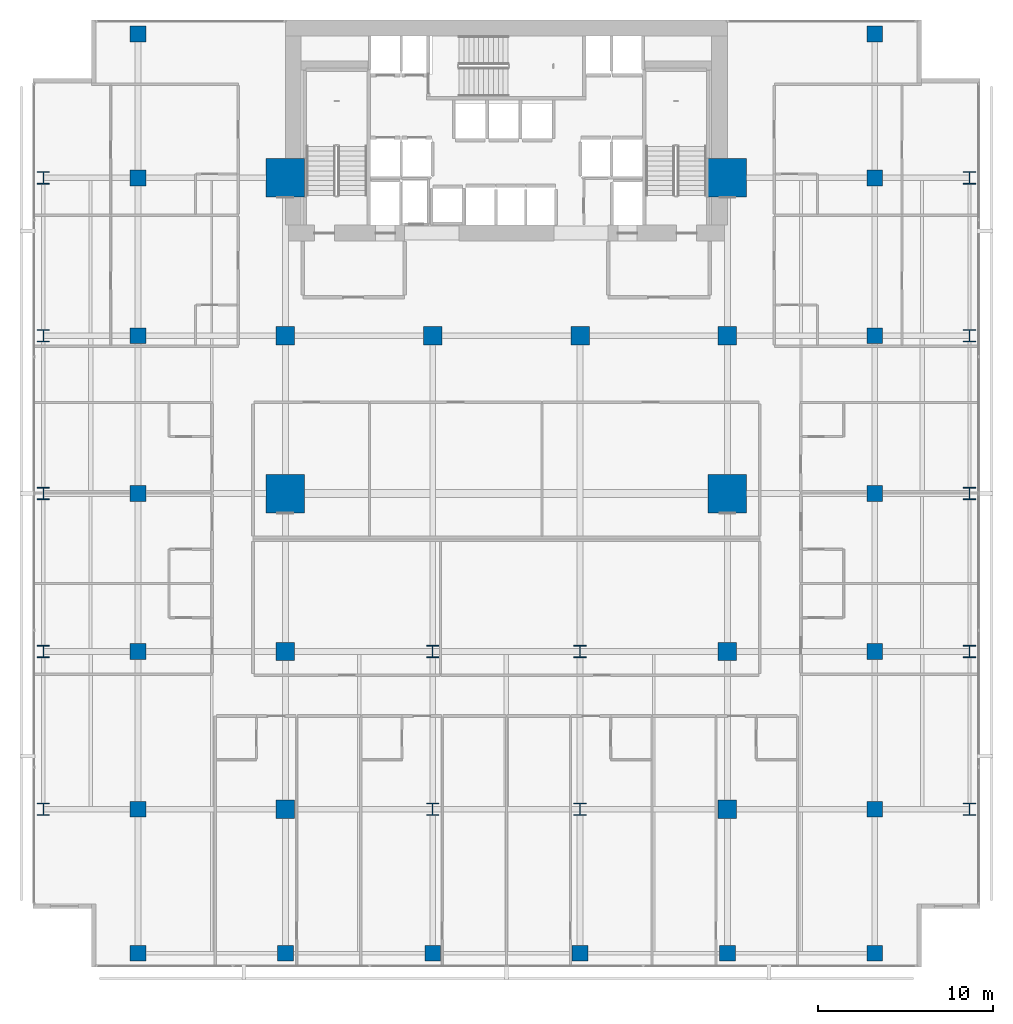
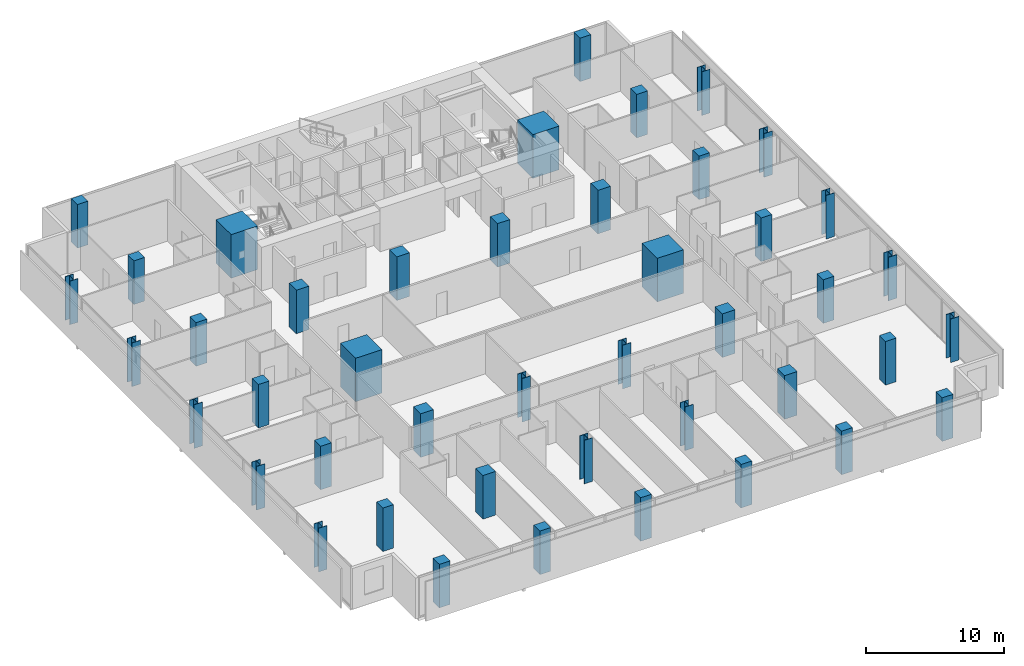
# One storey, part 1 of 39: 44 columns.
"""IFC4 building model written with IfcOpenShell, lengths in metres."""

from ifc_helpers import new_model, si_unit, direction, frame, origin, origin_2d, place, context, subcontext, project, spatial, rectangle, i_section, extrude, material, material_profile, profile_set, type_object, element, save


model = new_model("IFC4")

# Units and contexts
model_context = context("Model", 3, precision=1e-05, world=origin(), true_north=direction((0.0, 1.0)))
body_context = subcontext(model_context, "Body", "Model", "MODEL_VIEW")
ifc_project = project(units=[si_unit("LENGTHUNIT", "METRE"), si_unit("AREAUNIT", "SQUARE_METRE"), si_unit("VOLUMEUNIT", "CUBIC_METRE"), si_unit("PLANEANGLEUNIT", "RADIAN"), si_unit("MASSUNIT", "GRAM", prefix="KILO")], contexts=[model_context])

# Site, building, storey
site_placement = place(None, origin())
site = spatial("IfcSite", under=ifc_project, at=site_placement, CompositionType="ELEMENT")
building_placement = place(site_placement, origin())
building = spatial("IfcBuilding", under=site, at=building_placement, Name="Maruvema Waterfront Hotel and Observation Tower", CompositionType="ELEMENT")
storey_placement = place(building_placement, frame((0.0, 0.0, 46.199951171875)))
storey = spatial("IfcBuildingStorey", under=building, at=storey_placement, Name="L10", CompositionType="ELEMENT", Elevation=46.199951171875)

# Columns
ifc_material_1 = material(Name="Concrete C80/95", Category="concrete")
ifc_material_profile_1 = material_profile(ifc_material_1, rectangle(XDim=2.199951171875, YDim=2.199951171875, at=origin_2d()), Name="MC2200x2200")
ifc_profile_set_1 = profile_set([ifc_material_profile_1], Name="Concrete C80/95")
column_type_1 = type_object("IfcColumnType", Name="Continuous Mega-Column MC2200x2200", PredefinedType="COLUMN", material=ifc_profile_set_1)
for number, where, z_axis, x_axis, name in (
    (1, (25.199951171875, 27.0, 0.0), (0.0, 0.0, 1.0), (1.0, 0.0, 0.0), "L10 Continuous Mega-Column MC-01"),
    (2, (50.39990234375, 27.0, 0.0), (0.0, 0.0, 1.0), (1.0, 0.0, 0.0), "L10 Continuous Mega-Column MC-02"),
    (3, (25.199951171875, 45.0, 0.0), (0.0, 0.0, 1.0), (1.0, 0.0, 0.0), "L10 Continuous Mega-Column MC-03"),
    (4, (50.39990234375, 45.0, 0.0), (0.0, 0.0, 1.0), (1.0, 0.0, 0.0), "L10 Continuous Mega-Column MC-04"),
):
    element("IfcColumn", number, at=place(storey_placement, frame(where, z_axis=z_axis, x_axis=x_axis)), inside=storey, type_object=column_type_1, Name=name, PredefinedType="COLUMN", context=body_context, shape_type="SweptSolid", body=[
        extrude(rectangle(XDim=2.199951171875, YDim=2.199951171875, at=origin_2d()), origin(), (0.0, 0.0, 1.0), 3.85009765625),
    ])
ifc_material_2 = material(Name="Concrete C60/75", Category="concrete")
ifc_material_profile_2 = material_profile(ifc_material_2, rectangle(XDim=1.050048828125, YDim=1.050048828125, at=origin_2d()), Name="RC1050x1050")
ifc_profile_set_2 = profile_set([ifc_material_profile_2], Name="Concrete C60/75")
column_type_2 = type_object("IfcColumnType", Name="Reinforced Concrete Column RC1050x1050", PredefinedType="COLUMN", material=ifc_profile_set_2)
for number, where, z_axis, x_axis, name in (
    (5, (25.199951171875, 36.0, 0.0), (0.0, 0.0, 1.0), (1.0, 0.0, 0.0), "L10 Column C-4E"),
    (6, (33.60009765625, 36.0, 0.0), (0.0, 0.0, 1.0), (1.0, 0.0, 0.0), "L10 Column C-5E"),
    (7, (42.0, 36.0, 0.0), (0.0, 0.0, 1.0), (1.0, 0.0, 0.0), "L10 Column C-6E"),
    (8, (50.39990234375, 36.0, 0.0), (0.0, 0.0, 1.0), (1.0, 0.0, 0.0), "L10 Column C-7E"),
    (9, (25.199951171875, 18.0, 0.0), (0.0, 0.0, 1.0), (1.0, 0.0, 0.0), "L10 Column C-4C"),
    (10, (50.39990234375, 18.0, 0.0), (0.0, 0.0, 1.0), (1.0, 0.0, 0.0), "L10 Column C-7C"),
    (11, (25.199951171875, 9.0, 0.0), (0.0, 0.0, 1.0), (1.0, 0.0, 0.0), "L10 Column C-4B"),
    (12, (50.39990234375, 9.0, 0.0), (0.0, 0.0, 1.0), (1.0, 0.0, 0.0), "L10 Column C-7B"),
):
    element("IfcColumn", number, at=place(storey_placement, frame(where, z_axis=z_axis, x_axis=x_axis)), inside=storey, type_object=column_type_2, Name=name, PredefinedType="COLUMN", context=body_context, shape_type="SweptSolid", body=[
        extrude(rectangle(XDim=1.050048828125, YDim=1.050048828125, at=origin_2d()), origin(), (0.0, 0.0, 1.0), 3.85009765625),
    ])
ifc_material_3 = material(Name="Concrete C60/75", Category="concrete")
ifc_material_profile_3 = material_profile(ifc_material_3, rectangle(XDim=0.89990234375, YDim=0.89990234375, at=origin_2d()), Name="RC900x900")
ifc_profile_set_3 = profile_set([ifc_material_profile_3], Name="Concrete C60/75")
column_type_3 = type_object("IfcColumnType", Name="Reinforced Concrete Column RC900x900", PredefinedType="COLUMN", material=ifc_profile_set_3)
for number, where, z_axis, x_axis, name in (
    (13, (16.800048828125, 9.0, 0.0), (0.0, 0.0, 1.0), (1.0, 0.0, 0.0), "L10 Column C-3Y9"),
    (14, (58.800048828125, 9.0, 0.0), (0.0, 0.0, 1.0), (1.0, 0.0, 0.0), "L10 Column C-8Y9"),
    (15, (16.800048828125, 18.0, 0.0), (0.0, 0.0, 1.0), (1.0, 0.0, 0.0), "L10 Column C-3Y18"),
    (16, (58.800048828125, 18.0, 0.0), (0.0, 0.0, 1.0), (1.0, 0.0, 0.0), "L10 Column C-8Y18"),
    (17, (16.800048828125, 27.0, 0.0), (0.0, 0.0, 1.0), (1.0, 0.0, 0.0), "L10 Column C-3Y27"),
    (18, (58.800048828125, 27.0, 0.0), (0.0, 0.0, 1.0), (1.0, 0.0, 0.0), "L10 Column C-8Y27"),
    (19, (16.800048828125, 36.0, 0.0), (0.0, 0.0, 1.0), (1.0, 0.0, 0.0), "L10 Column C-3Y36"),
    (20, (58.800048828125, 36.0, 0.0), (0.0, 0.0, 1.0), (1.0, 0.0, 0.0), "L10 Column C-8Y36"),
    (21, (16.800048828125, 45.0, 0.0), (0.0, 0.0, 1.0), (1.0, 0.0, 0.0), "L10 Column C-3Y45"),
    (22, (58.800048828125, 45.0, 0.0), (0.0, 0.0, 1.0), (1.0, 0.0, 0.0), "L10 Column C-8Y45"),
    (23, (16.800048828125, 0.800048828125, 0.0), (0.0, 0.0, 1.0), (1.0, 0.0, 0.0), "L10 Column C-3A"),
    (24, (25.199951171875, 0.800048828125, 0.0), (0.0, 0.0, 1.0), (1.0, 0.0, 0.0), "L10 Column C-4A"),
    (25, (33.60009765625, 0.800048828125, 0.0), (0.0, 0.0, 1.0), (1.0, 0.0, 0.0), "L10 Column C-5A"),
    (26, (42.0, 0.800048828125, 0.0), (0.0, 0.0, 1.0), (1.0, 0.0, 0.0), "L10 Column C-6A"),
    (27, (50.39990234375, 0.800048828125, 0.0), (0.0, 0.0, 1.0), (1.0, 0.0, 0.0), "L10 Column C-7A"),
    (28, (58.800048828125, 0.800048828125, 0.0), (0.0, 0.0, 1.0), (1.0, 0.0, 0.0), "L10 Column C-8A"),
    (29, (16.800048828125, 53.199951171875, 0.0), (0.0, 0.0, 1.0), (1.0, 0.0, 0.0), "L10 Column C-3G"),
    (30, (58.800048828125, 53.199951171875, 0.0), (0.0, 0.0, 1.0), (1.0, 0.0, 0.0), "L10 Column C-8G"),
):
    element("IfcColumn", number, at=place(storey_placement, frame(where, z_axis=z_axis, x_axis=x_axis)), inside=storey, type_object=column_type_3, Name=name, PredefinedType="COLUMN", context=body_context, shape_type="SweptSolid", body=[
        extrude(rectangle(XDim=0.89990234375, YDim=0.89990234375, at=origin_2d()), origin(), (0.0, 0.0, 1.0), 3.85009765625),
    ])
ifc_material_4 = material(Name="Steel ABNT NBR 7007 AR 415 (ASTM A572 Grade 50)", Category="steel")
ifc_material_profile_4 = material_profile(ifc_material_4, i_section(OverallWidth=0.699951171875, OverallDepth=0.699951171875, WebThickness=0.028076171875, FlangeThickness=0.0439453125, at=origin_2d()), Name="CVS700x436")
ifc_profile_set_4 = profile_set([ifc_material_profile_4], Name="Steel ABNT NBR 7007 AR 415 (ASTM A572 Grade 50)")
column_type_4 = type_object("IfcColumnType", Name="Structural Steel Column CVS700x436", PredefinedType="COLUMN", material=ifc_profile_set_4)
for number, where, z_axis, x_axis, name in (
    (31, (33.60009765625, 9.0, 0.0), (0.0, 0.0, 1.0), (1.0, 0.0, 0.0), "L10 Column C-5B"),
    (32, (42.0, 9.0, 0.0), (0.0, 0.0, 1.0), (1.0, 0.0, 0.0), "L10 Column C-6B"),
    (33, (33.60009765625, 18.0, 0.0), (0.0, 0.0, 1.0), (1.0, 0.0, 0.0), "L10 Column C-5C"),
    (34, (42.0, 18.0, 0.0), (0.0, 0.0, 1.0), (1.0, 0.0, 0.0), "L10 Column C-6C"),
    (35, (11.39990234375, 9.0, 0.0), (0.0, 0.0, 1.0), (1.0, 0.0, 0.0), "L10 Column C-Z1W9"),
    (36, (64.199951171875, 9.0, 0.0), (0.0, 0.0, 1.0), (1.0, 0.0, 0.0), "L10 Column C-Z1E9"),
    (37, (11.39990234375, 18.0, 0.0), (0.0, 0.0, 1.0), (1.0, 0.0, 0.0), "L10 Column C-Z1W18"),
    (38, (64.199951171875, 18.0, 0.0), (0.0, 0.0, 1.0), (1.0, 0.0, 0.0), "L10 Column C-Z1E18"),
    (39, (11.39990234375, 27.0, 0.0), (0.0, 0.0, 1.0), (1.0, 0.0, 0.0), "L10 Column C-Z1W27"),
    (40, (64.199951171875, 27.0, 0.0), (0.0, 0.0, 1.0), (1.0, 0.0, 0.0), "L10 Column C-Z1E27"),
    (41, (11.39990234375, 36.0, 0.0), (0.0, 0.0, 1.0), (1.0, 0.0, 0.0), "L10 Column C-Z1W36"),
    (42, (64.199951171875, 36.0, 0.0), (0.0, 0.0, 1.0), (1.0, 0.0, 0.0), "L10 Column C-Z1E36"),
    (43, (11.39990234375, 45.0, 0.0), (0.0, 0.0, 1.0), (1.0, 0.0, 0.0), "L10 Column C-Z1W45"),
    (44, (64.199951171875, 45.0, 0.0), (0.0, 0.0, 1.0), (1.0, 0.0, 0.0), "L10 Column C-Z1E45"),
):
    element("IfcColumn", number, at=place(storey_placement, frame(where, z_axis=z_axis, x_axis=x_axis)), inside=storey, type_object=column_type_4, Name=name, PredefinedType="COLUMN", context=body_context, shape_type="SweptSolid", body=[
        extrude(i_section(OverallWidth=0.699951171875, OverallDepth=0.699951171875, WebThickness=0.028076171875, FlangeThickness=0.0439453125, at=origin_2d()), origin(), (0.0, 0.0, 1.0), 3.85009765625),
    ])

save(model, "model.ifc")
